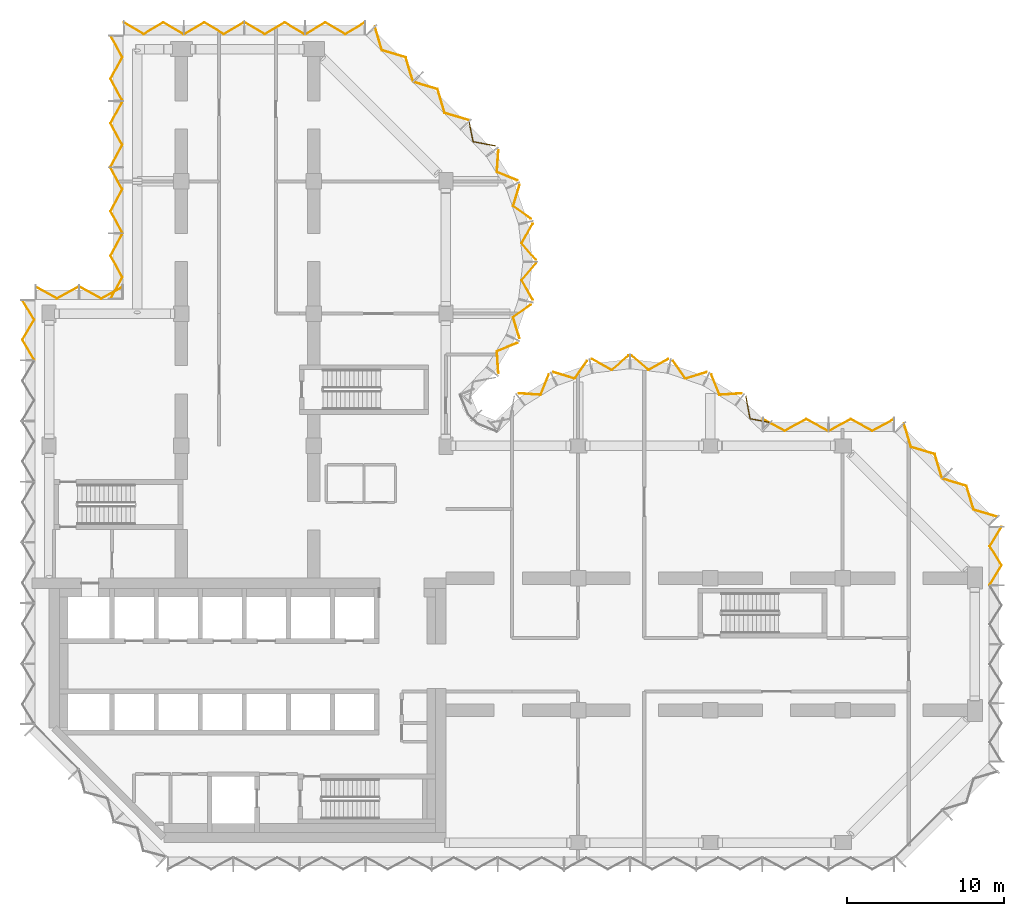
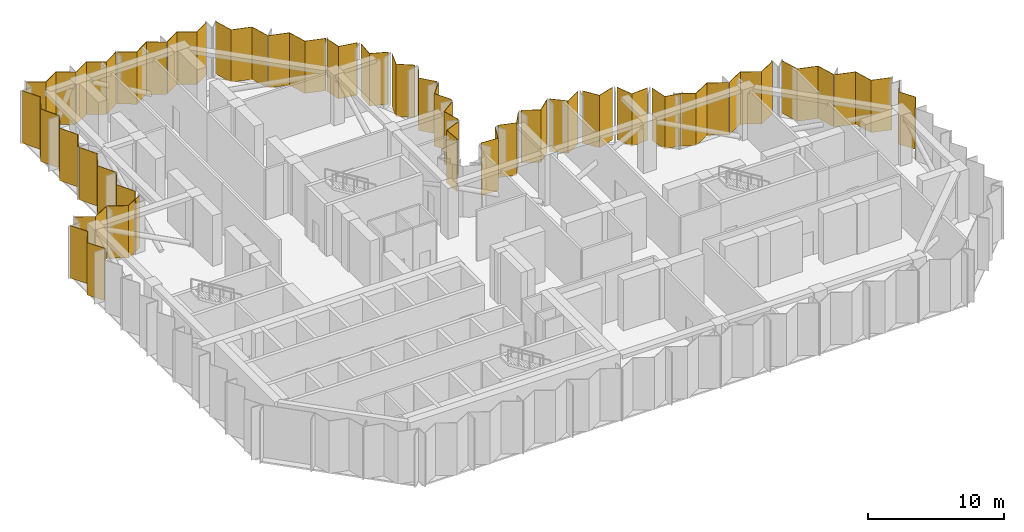
# One storey, part 13 of 13: 32 coverings, 10 elements without a shape of their own.
"""IFC4 building model written with IfcOpenShell, lengths in metres."""

from ifc_helpers import new_model, si_unit, direction, frame, origin, place, context, subcontext, project, spatial, polyline, outline, extrude, material, layer, layer_set, type_object, element, aggregate, save


model = new_model("IFC4")

# Units and contexts
model_context = context("Model", 3, precision=1e-05, world=origin(), true_north=direction((0.0, 1.0)))
body_context = subcontext(model_context, "Body", "Model", "MODEL_VIEW")
ifc_project = project(units=[si_unit("LENGTHUNIT", "METRE"), si_unit("AREAUNIT", "SQUARE_METRE"), si_unit("VOLUMEUNIT", "CUBIC_METRE"), si_unit("PLANEANGLEUNIT", "RADIAN"), si_unit("MASSUNIT", "GRAM", prefix="KILO")], contexts=[model_context])

# Site, building, storey
site_placement = place(None, origin())
site = spatial("IfcSite", under=ifc_project, at=site_placement, CompositionType="ELEMENT")
building_placement = place(site_placement, origin())
building = spatial("IfcBuilding", under=site, at=building_placement, Name="Brevane Broadcast Tower", CompositionType="ELEMENT")
storey_placement = place(building_placement, frame((0.0, 0.0, 162.0)))
storey = spatial("IfcBuildingStorey", under=building, at=storey_placement, Name="L40", CompositionType="ELEMENT", Elevation=162.0)

# Curtain wall, covering
ifc_material_1 = material(Name="Aluminium 6063-T6 bronze anodised", Category="aluminium")
curtain_wall_type = type_object("IfcCurtainWallType", Name="CW-3 curtain wall", PredefinedType="NOTDEFINED", material=ifc_material_1)
curtain_wall_1_placement = place(storey_placement, origin())
curtain_wall_1 = element("IfcCurtainWall", 1, at=curtain_wall_1_placement, inside=storey, type_object=curtain_wall_type, Name="CW-3 refuge louvre unit L40 east end", PredefinedType="NOTDEFINED")
ifc_material_2 = material(Name="Aluminium bronze anodised cladding", Category="aluminium")
ifc_layer = layer(ifc_material_2, 0.050048828125)
ifc_layer_set = layer_set([ifc_layer], Name="CW refuge spandrel 50")
covering_type = type_object("IfcCoveringType", Name="CW refuge spandrel 50", PredefinedType="CLADDING", material=ifc_layer_set)
covering_1_placement = place(storey_placement, frame((0.0, 0.0, -0.159912109375)))
covering_1 = element("IfcCovering", 2, at=covering_1_placement, type_object=covering_type, Name="Refuge cladding panel", PredefinedType="CLADDING", context=body_context, shape_type="SweptSolid", body=[
    extrude(outline(polyline([(59.7265625, 16.389892578125), (59.7734375, 16.389892578125), (60.517822265625, 17.61328125), (59.7734375, 18.836669921875), (60.517822265625, 20.06005859375), (60.470947265625, 20.06005859375), (59.7265625, 18.836669921875), (60.470947265625, 17.61328125), (59.7265625, 16.389892578125)])), origin(), (0.0, 0.0, 1.0), 4.7099609375),
])
aggregate(curtain_wall_1, [covering_1])

# Curtain wall, coverings
curtain_wall_2_placement = place(storey_placement, origin())
curtain_wall_2 = element("IfcCurtainWall", 3, at=curtain_wall_2_placement, inside=storey, type_object=curtain_wall_type, Name="CW-3 refuge louvre unit L40 north-east chamfer", PredefinedType="NOTDEFINED")
covering_2_placement = place(storey_placement, frame((0.0, 0.0, -0.159912109375)))
covering_2 = element("IfcCovering", 4, at=covering_2_placement, type_object=covering_type, Name="Refuge cladding panel", PredefinedType="CLADDING", context=body_context, shape_type="SweptSolid", body=[
    extrude(outline(polyline([(60.21728515625, 20.674072265625), (60.24951171875, 20.7060546875), (58.741943359375, 21.160888671875), (58.287109375, 22.668212890625), (56.77978515625, 23.123046875), (56.74755859375, 23.091064453125), (58.255126953125, 22.63623046875), (58.7099609375, 21.128662109375), (60.21728515625, 20.674072265625)])), origin(), (0.0, 0.0, 1.0), 4.7099609375),
])
covering_3_placement = place(storey_placement, frame((0.0, 0.0, -0.159912109375)))
covering_3 = element("IfcCovering", 5, at=covering_3_placement, type_object=covering_type, Name="Refuge cladding panel", PredefinedType="CLADDING", context=body_context, shape_type="SweptSolid", body=[
    extrude(outline(polyline([(56.69091796875, 23.147705078125), (56.72314453125, 23.1796875), (56.268310546875, 24.687255859375), (54.7607421875, 25.14208984375), (54.30615234375, 26.6494140625), (54.27392578125, 26.617431640625), (54.728759765625, 25.10986328125), (56.236083984375, 24.655029296875), (56.69091796875, 23.147705078125)])), origin(), (0.0, 0.0, 1.0), 4.7099609375),
])
aggregate(curtain_wall_2, [covering_2, covering_3])

curtain_wall_3_placement = place(storey_placement, origin())
curtain_wall_3 = element("IfcCurtainWall", 6, at=curtain_wall_3_placement, inside=storey, type_object=curtain_wall_type, Name="CW-3 refuge louvre unit L40 east arm north face", PredefinedType="NOTDEFINED")
covering_4_placement = place(storey_placement, frame((0.0, 0.0, -0.159912109375)))
covering_4 = element("IfcCovering", 7, at=covering_4_placement, type_object=covering_type, Name="Refuge cladding panel", PredefinedType="CLADDING", context=body_context, shape_type="SweptSolid", body=[
    extrude(outline(polyline([(53.659912109375, 26.87158203125), (53.659912109375, 26.9169921875), (52.28662109375, 26.172607421875), (50.913330078125, 26.9169921875), (49.5400390625, 26.172607421875), (49.5400390625, 26.127197265625), (50.913330078125, 26.87158203125), (52.28662109375, 26.127197265625), (53.659912109375, 26.87158203125)])), origin(), (0.0, 0.0, 1.0), 4.7099609375),
])
covering_5_placement = place(storey_placement, frame((0.0, 0.0, -0.159912109375)))
covering_5 = element("IfcCovering", 8, at=covering_5_placement, type_object=covering_type, Name="Refuge cladding panel", PredefinedType="CLADDING", context=body_context, shape_type="SweptSolid", body=[
    extrude(outline(polyline([(49.4599609375, 26.127197265625), (49.4599609375, 26.172607421875), (48.086669921875, 26.9169921875), (46.71337890625, 26.172607421875), (45.340087890625, 26.9169921875), (45.340087890625, 26.87158203125), (46.71337890625, 26.127197265625), (48.086669921875, 26.87158203125), (49.4599609375, 26.127197265625)])), origin(), (0.0, 0.0, 1.0), 4.7099609375),
])
aggregate(curtain_wall_3, [covering_4, covering_5])

curtain_wall_4_placement = place(storey_placement, origin())
curtain_wall_4 = element("IfcCurtainWall", 9, at=curtain_wall_4_placement, inside=storey, type_object=curtain_wall_type, Name="CW-3 refuge louvre unit L40 east bow", PredefinedType="NOTDEFINED")
covering_6_placement = place(storey_placement, frame((0.0, 0.0, -0.159912109375)))
covering_6 = element("IfcCovering", 10, at=covering_6_placement, type_object=covering_type, Name="Refuge cladding panel", PredefinedType="CLADDING", context=body_context, shape_type="SweptSolid", body=[
    extrude(outline(polyline([(45.78759765625, 26.659423828125), (45.821044921875, 26.693603515625), (44.539306640625, 26.9423828125), (44.26806640625, 28.382568359375), (44.235107421875, 28.340576171875), (44.5048828125, 26.908203125), (45.78759765625, 26.659423828125)])), origin(), (0.0, 0.0, 1.0), 4.7099609375),
])
covering_7_placement = place(storey_placement, frame((0.0, 0.0, -0.159912109375)))
covering_7 = element("IfcCovering", 11, at=covering_7_placement, type_object=covering_type, Name="Refuge cladding panel", PredefinedType="CLADDING", context=body_context, shape_type="SweptSolid", body=[
    extrude(outline(polyline([(43.9462890625, 28.51171875), (43.979248046875, 28.553955078125), (42.601318359375, 28.463134765625), (42.07470703125, 29.759521484375), (42.051513671875, 29.71044921875), (42.5751953125, 28.421142578125), (43.9462890625, 28.51171875)])), origin(), (0.0, 0.0, 1.0), 4.7099609375),
])
covering_8_placement = place(storey_placement, frame((0.0, 0.0, -0.159912109375)))
covering_8 = element("IfcCovering", 12, at=covering_8_placement, type_object=covering_type, Name="Refuge cladding panel", PredefinedType="CLADDING", context=body_context, shape_type="SweptSolid", body=[
    extrude(outline(polyline([(41.750732421875, 29.853759765625), (41.77392578125, 29.902587890625), (40.435546875, 29.494384765625), (39.6376953125, 30.62158203125), (39.62548828125, 30.5693359375), (40.41943359375, 29.44775390625), (41.750732421875, 29.853759765625)])), origin(), (0.0, 0.0, 1.0), 4.7099609375),
])
covering_9_placement = place(storey_placement, frame((0.0, 0.0, -0.159912109375)))
covering_9 = element("IfcCovering", 13, at=covering_9_placement, type_object=covering_type, Name="Refuge cladding panel", PredefinedType="CLADDING", context=body_context, shape_type="SweptSolid", body=[
    extrude(outline(polyline([(39.311279296875, 30.68896484375), (39.323486328125, 30.74169921875), (38.069580078125, 30.036376953125), (37.012939453125, 30.94873046875), (37.012939453125, 30.89599609375), (38.064697265625, 29.98779296875), (39.311279296875, 30.68896484375)])), origin(), (0.0, 0.0, 1.0), 4.7099609375),
])
covering_10_placement = place(storey_placement, frame((0.0, 0.0, -0.159912109375)))
covering_10 = element("IfcCovering", 14, at=covering_10_placement, type_object=covering_type, Name="Refuge cladding panel", PredefinedType="CLADDING", context=body_context, shape_type="SweptSolid", body=[
    extrude(outline(polyline([(36.787109375, 30.89599609375), (36.787109375, 30.94873046875), (35.730224609375, 30.036376953125), (34.4765625, 30.74169921875), (34.488525390625, 30.68896484375), (35.735107421875, 29.98779296875), (36.787109375, 30.89599609375)])), origin(), (0.0, 0.0, 1.0), 4.7099609375),
])
covering_11_placement = place(storey_placement, frame((0.0, 0.0, -0.159912109375)))
covering_11 = element("IfcCovering", 15, at=covering_11_placement, type_object=covering_type, Name="Refuge cladding panel", PredefinedType="CLADDING", context=body_context, shape_type="SweptSolid", body=[
    extrude(outline(polyline([(34.174560546875, 30.5693359375), (34.162353515625, 30.62158203125), (33.364501953125, 29.494384765625), (32.02587890625, 29.902587890625), (32.04931640625, 29.853759765625), (33.380615234375, 29.44775390625), (34.174560546875, 30.5693359375)])), origin(), (0.0, 0.0, 1.0), 4.7099609375),
])
covering_12_placement = place(storey_placement, frame((0.0, 0.0, -0.159912109375)))
covering_12 = element("IfcCovering", 16, at=covering_12_placement, type_object=covering_type, Name="Refuge cladding panel", PredefinedType="CLADDING", context=body_context, shape_type="SweptSolid", body=[
    extrude(outline(polyline([(31.74853515625, 29.71044921875), (31.725341796875, 29.759521484375), (31.198486328125, 28.463134765625), (29.82080078125, 28.553955078125), (29.853515625, 28.51171875), (31.224853515625, 28.421142578125), (31.74853515625, 29.71044921875)])), origin(), (0.0, 0.0, 1.0), 4.7099609375),
])
aggregate(curtain_wall_4, [covering_6, covering_7, covering_8, covering_9, covering_10, covering_11, covering_12])

curtain_wall_5_placement = place(storey_placement, origin())
curtain_wall_5 = element("IfcCurtainWall", 17, at=curtain_wall_5_placement, inside=storey, type_object=curtain_wall_type, Name="CW-3 refuge louvre unit L40 north bow", PredefinedType="NOTDEFINED")
covering_13_placement = place(storey_placement, frame((0.0, 0.0, -0.159912109375)))
covering_13 = element("IfcCovering", 18, at=covering_13_placement, type_object=covering_type, Name="Refuge cladding panel", PredefinedType="CLADDING", context=body_context, shape_type="SweptSolid", body=[
    extrude(outline(polyline([(28.51171875, 29.853515625), (28.553955078125, 29.82080078125), (28.463134765625, 31.198486328125), (29.759521484375, 31.725341796875), (29.71044921875, 31.74853515625), (28.421142578125, 31.224853515625), (28.51171875, 29.853515625)])), origin(), (0.0, 0.0, 1.0), 4.7099609375),
])
covering_14_placement = place(storey_placement, frame((0.0, 0.0, -0.159912109375)))
covering_14 = element("IfcCovering", 19, at=covering_14_placement, type_object=covering_type, Name="Refuge cladding panel", PredefinedType="CLADDING", context=body_context, shape_type="SweptSolid", body=[
    extrude(outline(polyline([(29.853759765625, 32.04931640625), (29.902587890625, 32.02587890625), (29.494384765625, 33.364501953125), (30.62158203125, 34.162353515625), (30.5693359375, 34.174560546875), (29.44775390625, 33.380615234375), (29.853759765625, 32.04931640625)])), origin(), (0.0, 0.0, 1.0), 4.7099609375),
])
covering_15_placement = place(storey_placement, frame((0.0, 0.0, -0.159912109375)))
covering_15 = element("IfcCovering", 20, at=covering_15_placement, type_object=covering_type, Name="Refuge cladding panel", PredefinedType="CLADDING", context=body_context, shape_type="SweptSolid", body=[
    extrude(outline(polyline([(30.68896484375, 34.488525390625), (30.74169921875, 34.4765625), (30.036376953125, 35.730224609375), (30.94873046875, 36.787109375), (30.89599609375, 36.787109375), (29.98779296875, 35.735107421875), (30.68896484375, 34.488525390625)])), origin(), (0.0, 0.0, 1.0), 4.7099609375),
])
covering_16_placement = place(storey_placement, frame((0.0, 0.0, -0.159912109375)))
covering_16 = element("IfcCovering", 21, at=covering_16_placement, type_object=covering_type, Name="Refuge cladding panel", PredefinedType="CLADDING", context=body_context, shape_type="SweptSolid", body=[
    extrude(outline(polyline([(30.89599609375, 37.012939453125), (30.94873046875, 37.012939453125), (30.036376953125, 38.069580078125), (30.74169921875, 39.323486328125), (30.68896484375, 39.311279296875), (29.98779296875, 38.064697265625), (30.89599609375, 37.012939453125)])), origin(), (0.0, 0.0, 1.0), 4.7099609375),
])
covering_17_placement = place(storey_placement, frame((0.0, 0.0, -0.159912109375)))
covering_17 = element("IfcCovering", 22, at=covering_17_placement, type_object=covering_type, Name="Refuge cladding panel", PredefinedType="CLADDING", context=body_context, shape_type="SweptSolid", body=[
    extrude(outline(polyline([(30.5693359375, 39.62548828125), (30.62158203125, 39.6376953125), (29.494384765625, 40.435546875), (29.902587890625, 41.77392578125), (29.853759765625, 41.750732421875), (29.44775390625, 40.41943359375), (30.5693359375, 39.62548828125)])), origin(), (0.0, 0.0, 1.0), 4.7099609375),
])
covering_18_placement = place(storey_placement, frame((0.0, 0.0, -0.159912109375)))
covering_18 = element("IfcCovering", 23, at=covering_18_placement, type_object=covering_type, Name="Refuge cladding panel", PredefinedType="CLADDING", context=body_context, shape_type="SweptSolid", body=[
    extrude(outline(polyline([(29.71044921875, 42.051513671875), (29.759521484375, 42.07470703125), (28.463134765625, 42.601318359375), (28.553955078125, 43.979248046875), (28.51171875, 43.9462890625), (28.421142578125, 42.5751953125), (29.71044921875, 42.051513671875)])), origin(), (0.0, 0.0, 1.0), 4.7099609375),
])
covering_19_placement = place(storey_placement, frame((0.0, 0.0, -0.159912109375)))
covering_19 = element("IfcCovering", 24, at=covering_19_placement, type_object=covering_type, Name="Refuge cladding panel", PredefinedType="CLADDING", context=body_context, shape_type="SweptSolid", body=[
    extrude(outline(polyline([(28.340576171875, 44.235107421875), (28.382568359375, 44.26806640625), (26.9423828125, 44.539306640625), (26.693603515625, 45.821044921875), (26.659423828125, 45.78759765625), (26.908203125, 44.5048828125), (28.340576171875, 44.235107421875)])), origin(), (0.0, 0.0, 1.0), 4.7099609375),
])
aggregate(curtain_wall_5, [covering_13, covering_14, covering_15, covering_16, covering_17, covering_18, covering_19])

curtain_wall_6_placement = place(storey_placement, origin())
curtain_wall_6 = element("IfcCurtainWall", 25, at=curtain_wall_6_placement, inside=storey, type_object=curtain_wall_type, Name="CW-3 refuge louvre unit L40 north arm north-east chamfer", PredefinedType="NOTDEFINED")
covering_20_placement = place(storey_placement, frame((0.0, 0.0, -0.159912109375)))
covering_20 = element("IfcCovering", 26, at=covering_20_placement, type_object=covering_type, Name="Refuge cladding panel", PredefinedType="CLADDING", context=body_context, shape_type="SweptSolid", body=[
    extrude(outline(polyline([(26.617431640625, 45.8740234375), (26.6494140625, 45.906005859375), (25.14208984375, 46.36083984375), (24.687255859375, 47.868408203125), (23.1796875, 48.322998046875), (23.147705078125, 48.291015625), (24.655029296875, 47.836181640625), (25.10986328125, 46.32861328125), (26.617431640625, 45.8740234375)])), origin(), (0.0, 0.0, 1.0), 4.7099609375),
])
covering_21_placement = place(storey_placement, frame((0.0, 0.0, -0.159912109375)))
covering_21 = element("IfcCovering", 27, at=covering_21_placement, type_object=covering_type, Name="Refuge cladding panel", PredefinedType="CLADDING", context=body_context, shape_type="SweptSolid", body=[
    extrude(outline(polyline([(23.091064453125, 48.34765625), (23.123046875, 48.379638671875), (22.668212890625, 49.88720703125), (21.160888671875, 50.342041015625), (20.7060546875, 51.849609375), (20.674072265625, 51.8173828125), (21.128662109375, 50.309814453125), (22.63623046875, 49.85498046875), (23.091064453125, 48.34765625)])), origin(), (0.0, 0.0, 1.0), 4.7099609375),
])
aggregate(curtain_wall_6, [covering_20, covering_21])

curtain_wall_7_placement = place(storey_placement, origin())
curtain_wall_7 = element("IfcCurtainWall", 28, at=curtain_wall_7_placement, inside=storey, type_object=curtain_wall_type, Name="CW-3 refuge louvre unit L40 north end", PredefinedType="NOTDEFINED")
covering_22_placement = place(storey_placement, frame((0.0, 0.0, -0.159912109375)))
covering_22 = element("IfcCovering", 29, at=covering_22_placement, type_object=covering_type, Name="Refuge cladding panel", PredefinedType="CLADDING", context=body_context, shape_type="SweptSolid", body=[
    extrude(outline(polyline([(20.06005859375, 52.071044921875), (20.06005859375, 52.11767578125), (18.80322265625, 51.373291015625), (17.546630859375, 52.11767578125), (16.2900390625, 51.373291015625), (16.2900390625, 51.326904296875), (17.546630859375, 52.071044921875), (18.80322265625, 51.326904296875), (20.06005859375, 52.071044921875)])), origin(), (0.0, 0.0, 1.0), 4.7099609375),
])
covering_23_placement = place(storey_placement, frame((0.0, 0.0, -0.159912109375)))
covering_23 = element("IfcCovering", 30, at=covering_23_placement, type_object=covering_type, Name="Refuge cladding panel", PredefinedType="CLADDING", context=body_context, shape_type="SweptSolid", body=[
    extrude(outline(polyline([(16.2099609375, 51.326904296875), (16.2099609375, 51.373291015625), (14.953369140625, 52.11767578125), (13.69677734375, 51.373291015625), (12.43994140625, 52.11767578125), (12.43994140625, 52.071044921875), (13.69677734375, 51.326904296875), (14.953369140625, 52.071044921875), (16.2099609375, 51.326904296875)])), origin(), (0.0, 0.0, 1.0), 4.7099609375),
])
covering_24_placement = place(storey_placement, frame((0.0, 0.0, -0.159912109375)))
covering_24 = element("IfcCovering", 31, at=covering_24_placement, type_object=covering_type, Name="Refuge cladding panel", PredefinedType="CLADDING", context=body_context, shape_type="SweptSolid", body=[
    extrude(outline(polyline([(12.360107421875, 52.071044921875), (12.360107421875, 52.11767578125), (11.103271484375, 51.373291015625), (9.8466796875, 52.11767578125), (8.590087890625, 51.373291015625), (8.590087890625, 51.326904296875), (9.8466796875, 52.071044921875), (11.103271484375, 51.326904296875), (12.360107421875, 52.071044921875)])), origin(), (0.0, 0.0, 1.0), 4.7099609375),
])
covering_25_placement = place(storey_placement, frame((0.0, 0.0, -0.159912109375)))
covering_25 = element("IfcCovering", 32, at=covering_25_placement, type_object=covering_type, Name="Refuge cladding panel", PredefinedType="CLADDING", context=body_context, shape_type="SweptSolid", body=[
    extrude(outline(polyline([(8.510009765625, 51.326904296875), (8.510009765625, 51.373291015625), (7.25341796875, 52.11767578125), (5.99658203125, 51.373291015625), (4.739990234375, 52.11767578125), (4.739990234375, 52.071044921875), (5.99658203125, 51.326904296875), (7.25341796875, 52.071044921875), (8.510009765625, 51.326904296875)])), origin(), (0.0, 0.0, 1.0), 4.7099609375),
])
aggregate(curtain_wall_7, [covering_22, covering_23, covering_24, covering_25])

curtain_wall_8_placement = place(storey_placement, origin())
curtain_wall_8 = element("IfcCurtainWall", 33, at=curtain_wall_8_placement, inside=storey, type_object=curtain_wall_type, Name="CW-3 refuge louvre unit L40 north wing west face, lower block", PredefinedType="NOTDEFINED")
covering_26_placement = place(storey_placement, frame((0.0, 0.0, -0.159912109375)))
covering_26 = element("IfcCovering", 34, at=covering_26_placement, type_object=covering_type, Name="Refuge cladding panel", PredefinedType="CLADDING", context=body_context, shape_type="SweptSolid", body=[
    extrude(outline(polyline([(3.928466796875, 51.260009765625), (3.8828125, 51.260009765625), (4.627197265625, 49.88671875), (3.8828125, 48.51318359375), (4.627197265625, 47.139892578125), (4.672607421875, 47.139892578125), (3.928466796875, 48.51318359375), (4.672607421875, 49.88671875), (3.928466796875, 51.260009765625)])), origin(), (0.0, 0.0, 1.0), 4.7099609375),
])
covering_27_placement = place(storey_placement, frame((0.0, 0.0, -0.159912109375)))
covering_27 = element("IfcCovering", 35, at=covering_27_placement, type_object=covering_type, Name="Refuge cladding panel", PredefinedType="CLADDING", context=body_context, shape_type="SweptSolid", body=[
    extrude(outline(polyline([(4.672607421875, 47.06005859375), (4.627197265625, 47.06005859375), (3.8828125, 45.686767578125), (4.627197265625, 44.313232421875), (3.8828125, 42.93994140625), (3.928466796875, 42.93994140625), (4.672607421875, 44.313232421875), (3.928466796875, 45.686767578125), (4.672607421875, 47.06005859375)])), origin(), (0.0, 0.0, 1.0), 4.7099609375),
])
covering_28_placement = place(storey_placement, frame((0.0, 0.0, -0.159912109375)))
covering_28 = element("IfcCovering", 36, at=covering_28_placement, type_object=covering_type, Name="Refuge cladding panel", PredefinedType="CLADDING", context=body_context, shape_type="SweptSolid", body=[
    extrude(outline(polyline([(3.928466796875, 42.860107421875), (3.8828125, 42.860107421875), (4.627197265625, 41.48681640625), (3.8828125, 40.11328125), (4.627197265625, 38.739990234375), (4.672607421875, 38.739990234375), (3.928466796875, 40.11328125), (4.672607421875, 41.48681640625), (3.928466796875, 42.860107421875)])), origin(), (0.0, 0.0, 1.0), 4.7099609375),
])
covering_29_placement = place(storey_placement, frame((0.0, 0.0, -0.159912109375)))
covering_29 = element("IfcCovering", 37, at=covering_29_placement, type_object=covering_type, Name="Refuge cladding panel", PredefinedType="CLADDING", context=body_context, shape_type="SweptSolid", body=[
    extrude(outline(polyline([(4.672607421875, 38.659912109375), (4.627197265625, 38.659912109375), (3.8828125, 37.28662109375), (4.627197265625, 35.913330078125), (3.8828125, 34.5400390625), (3.928466796875, 34.5400390625), (4.672607421875, 35.913330078125), (3.928466796875, 37.28662109375), (4.672607421875, 38.659912109375)])), origin(), (0.0, 0.0, 1.0), 4.7099609375),
])
aggregate(curtain_wall_8, [covering_26, covering_27, covering_28, covering_29])

curtain_wall_9_placement = place(storey_placement, origin())
curtain_wall_9 = element("IfcCurtainWall", 38, at=curtain_wall_9_placement, inside=storey, type_object=curtain_wall_type, Name="CW-3 refuge louvre unit L40 north wing west return, lower block", PredefinedType="NOTDEFINED")
covering_30_placement = place(storey_placement, frame((0.0, 0.0, -0.159912109375)))
covering_30 = element("IfcCovering", 39, at=covering_30_placement, type_object=covering_type, Name="Refuge cladding panel", PredefinedType="CLADDING", context=body_context, shape_type="SweptSolid", body=[
    extrude(outline(polyline([(4.659912109375, 35.271484375), (4.659912109375, 35.317138671875), (3.300048828125, 34.57275390625), (1.93994140625, 35.317138671875), (1.93994140625, 35.271484375), (3.300048828125, 34.527099609375), (4.659912109375, 35.271484375)])), origin(), (0.0, 0.0, 1.0), 4.7099609375),
])
covering_31_placement = place(storey_placement, frame((0.0, 0.0, -0.159912109375)))
covering_31 = element("IfcCovering", 40, at=covering_31_placement, type_object=covering_type, Name="Refuge cladding panel", PredefinedType="CLADDING", context=body_context, shape_type="SweptSolid", body=[
    extrude(outline(polyline([(1.860107421875, 35.271484375), (1.860107421875, 35.317138671875), (0.5, 34.57275390625), (-0.860107421875, 35.317138671875), (-0.860107421875, 35.271484375), (0.5, 34.527099609375), (1.860107421875, 35.271484375)])), origin(), (0.0, 0.0, 1.0), 4.7099609375),
])
aggregate(curtain_wall_9, [covering_30, covering_31])

# Curtain wall, covering
curtain_wall_10_placement = place(storey_placement, origin())
curtain_wall_10 = element("IfcCurtainWall", 41, at=curtain_wall_10_placement, inside=storey, type_object=curtain_wall_type, Name="CW-3 refuge louvre unit L40 west face", PredefinedType="NOTDEFINED")
covering_32_placement = place(storey_placement, frame((0.0, 0.0, -0.159912109375)))
covering_32 = element("IfcCovering", 42, at=covering_32_placement, type_object=covering_type, Name="Refuge cladding panel", PredefinedType="CLADDING", context=body_context, shape_type="SweptSolid", body=[
    extrude(outline(polyline([(-1.671142578125, 34.4599609375), (-1.717529296875, 34.4599609375), (-0.97314453125, 33.200927734375), (-1.717529296875, 31.94189453125), (-0.97314453125, 30.682861328125), (-0.9267578125, 30.682861328125), (-1.671142578125, 31.94189453125), (-0.9267578125, 33.200927734375), (-1.671142578125, 34.4599609375)])), origin(), (0.0, 0.0, 1.0), 4.7099609375),
])
aggregate(curtain_wall_10, [covering_32])

save(model, "model.ifc")
